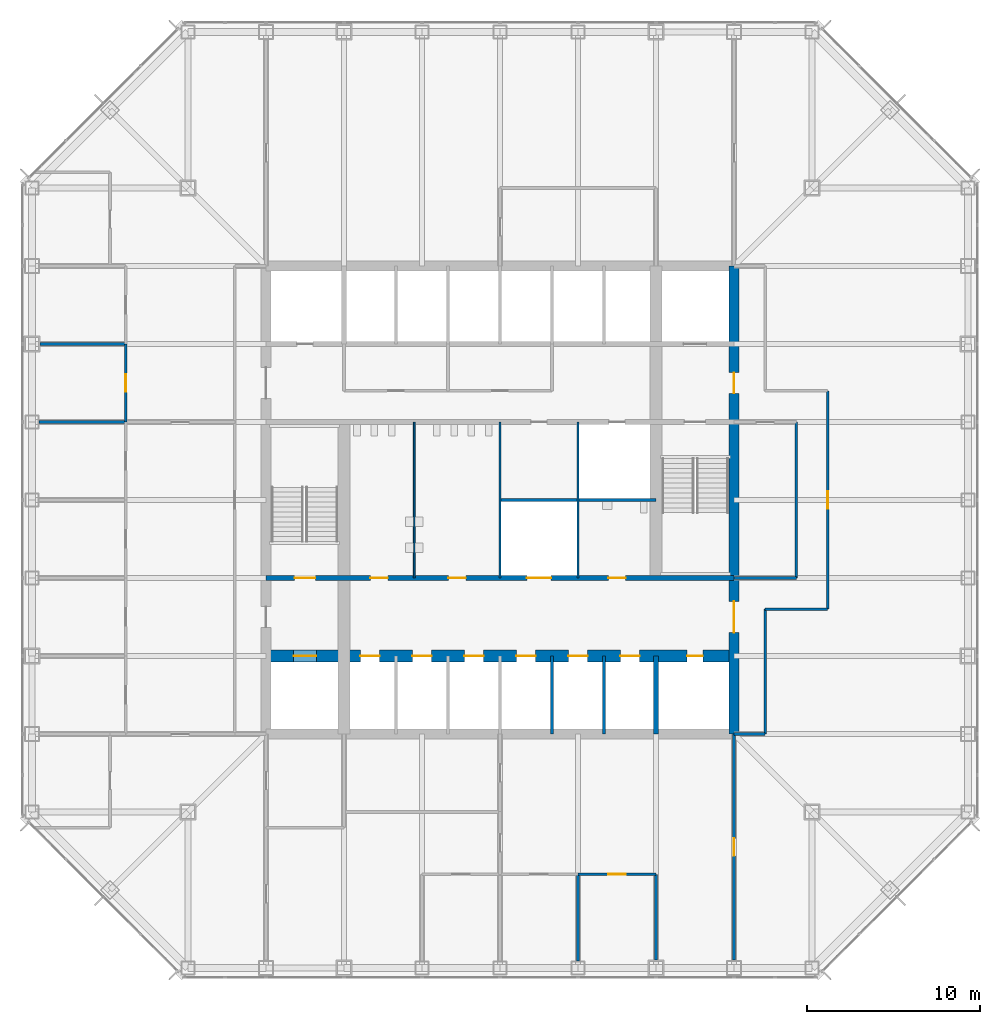
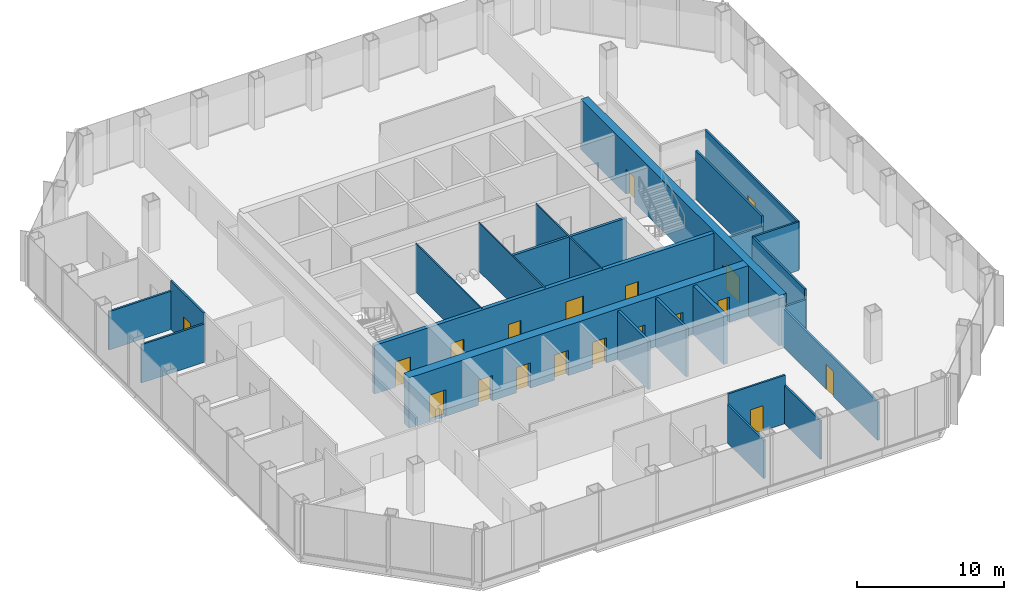
# One storey, part 9 of 13: 23 walls, 19 doors, 19 openings.
"""IFC4 building model written with IfcOpenShell, lengths in metres."""

from ifc_helpers import new_model, si_unit, direction, frame, frame_2d, origin, place, context, subcontext, project, spatial, rectangle, extrude, material, layer, layer_set, type_object, element, fill, save


model = new_model("IFC4")

# Units and contexts
model_context = context("Model", 3, precision=1e-05, world=origin(), true_north=direction((0.0, 1.0)))
body_context = subcontext(model_context, "Body", "Model", "MODEL_VIEW")
ifc_project = project(units=[si_unit("LENGTHUNIT", "METRE"), si_unit("AREAUNIT", "SQUARE_METRE"), si_unit("VOLUMEUNIT", "CUBIC_METRE"), si_unit("PLANEANGLEUNIT", "RADIAN"), si_unit("MASSUNIT", "GRAM", prefix="KILO")], contexts=[model_context])

# Site, building, storey
site_placement = place(None, origin())
site = spatial("IfcSite", under=ifc_project, at=site_placement, CompositionType="ELEMENT")
building_placement = place(site_placement, origin())
building = spatial("IfcBuilding", under=site, at=building_placement, Name="Corais Broadcast Tower", CompositionType="ELEMENT")
storey_placement = place(building_placement, frame((0.0, 0.0, 87.800048828125)))
storey = spatial("IfcBuildingStorey", under=building, at=storey_placement, Name="L19", CompositionType="ELEMENT", Elevation=87.800048828125)

# Wall
ifc_material_1 = material(Name="Concrete blockwork class A, grouted, two-hour", Category="masonry")
ifc_layer_1 = layer(ifc_material_1, 0.300048828125)
ifc_layer_set_1 = layer_set([ifc_layer_1], Name="Concrete blockwork class A, grouted, two-hour")
wall_type_1 = type_object("IfcWallType", Name="Core lobby wall 300", PredefinedType="SOLIDWALL", material=ifc_layer_set_1)
wall_1_placement = place(storey_placement, frame((36.0, 13.5, 0.0), z_axis=(0.0, 0.0, 1.0), x_axis=(0.0, 1.0, 0.0)))
element("IfcWall", 1, at=wall_1_placement, inside=storey, type_object=wall_type_1, Name="CL1 core shaft wall X36A L19", PredefinedType="SOLIDWALL", context=body_context, shape_type="SweptSolid", body=[
    extrude(rectangle(XDim=4.5, YDim=0.300048828125, at=frame_2d((2.25, 0.0))), origin(), (0.0, 0.0, 1.0), 4.0400390625),
])

# Wall, openings, doors
wall_2_placement = place(storey_placement, frame((13.5, 22.5, 0.0), z_axis=(0.0, 0.0, 1.0), x_axis=(1.0, 0.0, 0.0)))
wall_2 = element("IfcWall", 2, at=wall_2_placement, inside=storey, type_object=wall_type_1, Name="CL1 core lobby wall Y225 L19", PredefinedType="SOLIDWALL", context=body_context, shape_type="SweptSolid", body=[
    extrude(rectangle(XDim=27.0, YDim=0.300048828125, at=frame_2d((13.5, 0.0))), origin(), (0.0, 0.0, 1.0), 4.0400390625),
])
opening_1_placement = place(wall_2_placement, frame((1.64990234375, 0.0, 0.0)))
opening_1 = element("IfcOpeningElement", 3, at=opening_1_placement, cuts=wall_2, Name="Opening FD1", PredefinedType="OPENING", context=body_context, shape_type="SweptSolid", body=[
    extrude(rectangle(XDim=1.199951171875, YDim=2.10009765625, at=frame_2d((0.60009765625, 1.050048828125))), frame((0.0, 0.159912109375, 0.0), z_axis=(0.0, -1.0, 0.0), x_axis=(1.0, 0.0, 0.0)), (0.0, 0.0, 1.0), 0.320068359375),
])
opening_2_placement = place(wall_2_placement, frame((6.02490234375, 0.0, 0.0)))
opening_2 = element("IfcOpeningElement", 4, at=opening_2_placement, cuts=wall_2, Name="Opening WD1", PredefinedType="OPENING", context=body_context, shape_type="SweptSolid", body=[
    extrude(rectangle(XDim=1.0, YDim=2.10009765625, at=frame_2d((0.5, 1.050048828125))), frame((0.0, 0.159912109375, 0.0), z_axis=(0.0, -1.0, 0.0), x_axis=(1.0, 0.0, 0.0)), (0.0, 0.0, 1.0), 0.320068359375),
])
opening_3_placement = place(wall_2_placement, frame((10.52490234375, 0.0, 0.0)))
opening_3 = element("IfcOpeningElement", 5, at=opening_3_placement, cuts=wall_2, Name="Opening WD1", PredefinedType="OPENING", context=body_context, shape_type="SweptSolid", body=[
    extrude(rectangle(XDim=1.0, YDim=2.10009765625, at=frame_2d((0.5, 1.050048828125))), frame((0.0, 0.159912109375, 0.0), z_axis=(0.0, -1.0, 0.0), x_axis=(1.0, 0.0, 0.0)), (0.0, 0.0, 1.0), 0.320068359375),
])
opening_4_placement = place(wall_2_placement, frame((19.75, 0.0, 0.0)))
opening_4 = element("IfcOpeningElement", 6, at=opening_4_placement, cuts=wall_2, Name="Opening WD1", PredefinedType="OPENING", context=body_context, shape_type="SweptSolid", body=[
    extrude(rectangle(XDim=1.0, YDim=2.10009765625, at=frame_2d((0.5, 1.050048828125))), frame((0.0, 0.159912109375, 0.0), z_axis=(0.0, -1.0, 0.0), x_axis=(1.0, 0.0, 0.0)), (0.0, 0.0, 1.0), 0.320068359375),
])
opening_5_placement = place(wall_2_placement, frame((15.050048828125, 0.0, 0.0)))
opening_5 = element("IfcOpeningElement", 7, at=opening_5_placement, cuts=wall_2, Name="Opening LD3", PredefinedType="OPENING", context=body_context, shape_type="SweptSolid", body=[
    extrude(rectangle(XDim=1.39990234375, YDim=2.39990234375, at=frame_2d((0.699951171875, 1.199951171875))), frame((0.0, 0.159912109375, 0.0), z_axis=(0.0, -1.0, 0.0), x_axis=(1.0, 0.0, 0.0)), (0.0, 0.0, 1.0), 0.320068359375),
])
ifc_material_2 = material(Name="Steel fire door", Category="steel")
door_type_1 = type_object("IfcDoorType", Name="Fire door 1200x2100", OperationType="SINGLE_SWING_LEFT", PredefinedType="DOOR", material=ifc_material_2)
door_1_placement = place(opening_1_placement, origin())
door_1 = element("IfcDoor", 8, at=door_1_placement, inside=storey, type_object=door_type_1, Name="FD1 stair A door L19", OperationType="SINGLE_SWING_LEFT", OverallHeight=2.10009765625, OverallWidth=1.199951171875, PredefinedType="DOOR", context=body_context, shape_type="SweptSolid", body=[
    extrude(rectangle(XDim=1.199951171875, YDim=2.10009765625, at=frame_2d((0.60009765625, 1.050048828125))), frame((0.0, 0.02490234375, 0.0), z_axis=(0.0, -1.0, 0.0), x_axis=(1.0, 0.0, 0.0)), (0.0, 0.0, 1.0), 0.050048828125),
])
fill(opening_1, door_1)
ifc_material_3 = material(Name="Stainless steel lift door", Category="steel")
door_type_2 = type_object("IfcDoorType", Name="Service lift landing door 1400x2400", OperationType="SLIDING_TO_LEFT", PredefinedType="DOOR", material=ifc_material_3)
door_2_placement = place(opening_5_placement, origin())
door_2 = element("IfcDoor", 9, at=door_2_placement, inside=storey, type_object=door_type_2, Name="LD3 SL1 landing door L19", OperationType="SLIDING_TO_LEFT", OverallHeight=2.39990234375, OverallWidth=1.39990234375, PredefinedType="DOOR", context=body_context, shape_type="SweptSolid", body=[
    extrude(rectangle(XDim=1.39990234375, YDim=2.39990234375, at=frame_2d((0.699951171875, 1.199951171875))), frame((0.0, 0.02490234375, 0.0), z_axis=(0.0, -1.0, 0.0), x_axis=(1.0, 0.0, 0.0)), (0.0, 0.0, 1.0), 0.050048828125),
])
fill(opening_5, door_2)
ifc_material_4 = material(Name="Timber door", Category="wood")
door_type_3 = type_object("IfcDoorType", Name="Toilet door 1000x2100", OperationType="SINGLE_SWING_LEFT", PredefinedType="DOOR", material=ifc_material_4)
door_3_placement = place(opening_2_placement, origin())
door_3 = element("IfcDoor", 10, at=door_3_placement, inside=storey, type_object=door_type_3, Name="WD1 WC male door L19", OperationType="SINGLE_SWING_LEFT", OverallHeight=2.10009765625, OverallWidth=1.0, PredefinedType="DOOR", context=body_context, shape_type="SweptSolid", body=[
    extrude(rectangle(XDim=1.0, YDim=2.10009765625, at=frame_2d((0.5, 1.050048828125))), frame((0.0, 0.02490234375, 0.0), z_axis=(0.0, -1.0, 0.0), x_axis=(1.0, 0.0, 0.0)), (0.0, 0.0, 1.0), 0.050048828125),
])
fill(opening_2, door_3)
door_4_placement = place(opening_3_placement, origin())
door_4 = element("IfcDoor", 11, at=door_4_placement, inside=storey, type_object=door_type_3, Name="WD1 WC female door L19", OperationType="SINGLE_SWING_LEFT", OverallHeight=2.10009765625, OverallWidth=1.0, PredefinedType="DOOR", context=body_context, shape_type="SweptSolid", body=[
    extrude(rectangle(XDim=1.0, YDim=2.10009765625, at=frame_2d((0.5, 1.050048828125))), frame((0.0, 0.02490234375, 0.0), z_axis=(0.0, -1.0, 0.0), x_axis=(1.0, 0.0, 0.0)), (0.0, 0.0, 1.0), 0.050048828125),
])
fill(opening_3, door_4)
door_5_placement = place(opening_4_placement, origin())
door_5 = element("IfcDoor", 12, at=door_5_placement, inside=storey, type_object=door_type_3, Name="WD1 accessible WC door L19", OperationType="SINGLE_SWING_RIGHT", OverallHeight=2.10009765625, OverallWidth=1.0, PredefinedType="DOOR", context=body_context, shape_type="SweptSolid", body=[
    extrude(rectangle(XDim=1.0, YDim=2.10009765625, at=frame_2d((0.5, 1.050048828125))), frame((0.0, 0.02490234375, 0.0), z_axis=(0.0, -1.0, 0.0), x_axis=(1.0, 0.0, 0.0)), (0.0, 0.0, 1.0), 0.050048828125),
])
fill(opening_4, door_5)

ifc_material_5 = material(Name="Concrete C50/60", Category="concrete")
ifc_layer_2 = layer(ifc_material_5, 0.699951171875)
ifc_layer_set_2 = layer_set([ifc_layer_2], Name="Concrete C50/60")
wall_type_2 = type_object("IfcWallType", Name="Core spine wall 700", PredefinedType="SHEAR", material=ifc_layer_set_2)
wall_3_placement = place(storey_placement, frame((13.5, 18.0, 0.0), z_axis=(0.0, 0.0, 1.0), x_axis=(1.0, 0.0, 0.0)))
wall_3 = element("IfcWall", 13, at=wall_3_placement, inside=storey, type_object=wall_type_2, Name="CR700 core wall Y18 L19", PredefinedType="SHEAR", context=body_context, shape_type="SweptSolid", body=[
    extrude(rectangle(XDim=27.0, YDim=0.699951171875, at=frame_2d((13.5, 0.0))), origin(), (0.0, 0.0, 1.0), 4.199951171875),
])
opening_6_placement = place(wall_3_placement, frame((24.300048828125, 0.0, 0.0)))
opening_6 = element("IfcOpeningElement", 14, at=opening_6_placement, cuts=wall_3, Name="Opening RD1", PredefinedType="OPENING", context=body_context, shape_type="SweptSolid", body=[
    extrude(rectangle(XDim=0.89990234375, YDim=2.10009765625, at=frame_2d((0.449951171875, 1.050048828125))), frame((0.0, 0.35986328125, 0.0), z_axis=(0.0, -1.0, 0.0), x_axis=(1.0, 0.0, 0.0)), (0.0, 0.0, 1.0), 0.719970703125),
])
opening_7_placement = place(wall_3_placement, frame((5.449951171875, 0.0, 0.0)))
opening_7 = element("IfcOpeningElement", 15, at=opening_7_placement, cuts=wall_3, Name="Opening LD1", PredefinedType="OPENING", context=body_context, shape_type="SweptSolid", body=[
    extrude(rectangle(XDim=1.10009765625, YDim=2.10009765625, at=frame_2d((0.550048828125, 1.050048828125))), frame((0.0, 0.35986328125, 0.0), z_axis=(0.0, -1.0, 0.0), x_axis=(1.0, 0.0, 0.0)), (0.0, 0.0, 1.0), 0.719970703125),
])
opening_8_placement = place(wall_3_placement, frame((8.449951171875, 0.0, 0.0)))
opening_8 = element("IfcOpeningElement", 16, at=opening_8_placement, cuts=wall_3, Name="Opening LD1", PredefinedType="OPENING", context=body_context, shape_type="SweptSolid", body=[
    extrude(rectangle(XDim=1.10009765625, YDim=2.10009765625, at=frame_2d((0.550048828125, 1.050048828125))), frame((0.0, 0.35986328125, 0.0), z_axis=(0.0, -1.0, 0.0), x_axis=(1.0, 0.0, 0.0)), (0.0, 0.0, 1.0), 0.719970703125),
])
opening_9_placement = place(wall_3_placement, frame((11.449951171875, 0.0, 0.0)))
opening_9 = element("IfcOpeningElement", 17, at=opening_9_placement, cuts=wall_3, Name="Opening LD1", PredefinedType="OPENING", context=body_context, shape_type="SweptSolid", body=[
    extrude(rectangle(XDim=1.10009765625, YDim=2.10009765625, at=frame_2d((0.550048828125, 1.050048828125))), frame((0.0, 0.35986328125, 0.0), z_axis=(0.0, -1.0, 0.0), x_axis=(1.0, 0.0, 0.0)), (0.0, 0.0, 1.0), 0.719970703125),
])
opening_10_placement = place(wall_3_placement, frame((14.449951171875, 0.0, 0.0)))
opening_10 = element("IfcOpeningElement", 18, at=opening_10_placement, cuts=wall_3, Name="Opening LD1", PredefinedType="OPENING", context=body_context, shape_type="SweptSolid", body=[
    extrude(rectangle(XDim=1.10009765625, YDim=2.10009765625, at=frame_2d((0.550048828125, 1.050048828125))), frame((0.0, 0.35986328125, 0.0), z_axis=(0.0, -1.0, 0.0), x_axis=(1.0, 0.0, 0.0)), (0.0, 0.0, 1.0), 0.719970703125),
])
opening_11_placement = place(wall_3_placement, frame((17.449951171875, 0.0, 0.0)))
opening_11 = element("IfcOpeningElement", 19, at=opening_11_placement, cuts=wall_3, Name="Opening LD1", PredefinedType="OPENING", context=body_context, shape_type="SweptSolid", body=[
    extrude(rectangle(XDim=1.10009765625, YDim=2.10009765625, at=frame_2d((0.550048828125, 1.050048828125))), frame((0.0, 0.35986328125, 0.0), z_axis=(0.0, -1.0, 0.0), x_axis=(1.0, 0.0, 0.0)), (0.0, 0.0, 1.0), 0.719970703125),
])
opening_12_placement = place(wall_3_placement, frame((20.449951171875, 0.0, 0.0)))
opening_12 = element("IfcOpeningElement", 20, at=opening_12_placement, cuts=wall_3, Name="Opening LD1", PredefinedType="OPENING", context=body_context, shape_type="SweptSolid", body=[
    extrude(rectangle(XDim=1.10009765625, YDim=2.10009765625, at=frame_2d((0.550048828125, 1.050048828125))), frame((0.0, 0.35986328125, 0.0), z_axis=(0.0, -1.0, 0.0), x_axis=(1.0, 0.0, 0.0)), (0.0, 0.0, 1.0), 0.719970703125),
])
opening_13_placement = place(wall_3_placement, frame((1.60009765625, 0.0, 0.0)))
opening_13 = element("IfcOpeningElement", 21, at=opening_13_placement, cuts=wall_3, Name="Opening LD2", PredefinedType="OPENING", context=body_context, shape_type="SweptSolid", body=[
    extrude(rectangle(XDim=1.300048828125, YDim=2.199951171875, at=frame_2d((0.64990234375, 1.10009765625))), frame((0.0, 0.35986328125, 0.0), z_axis=(0.0, -1.0, 0.0), x_axis=(1.0, 0.0, 0.0)), (0.0, 0.0, 1.0), 0.719970703125),
])
ifc_material_6 = material(Name="Stainless steel lift door", Category="steel")
door_type_4 = type_object("IfcDoorType", Name="Lift landing door 1100x2100", OperationType="SLIDING_TO_LEFT", PredefinedType="DOOR", material=ifc_material_6)
door_6_placement = place(opening_7_placement, origin())
door_6 = element("IfcDoor", 22, at=door_6_placement, inside=storey, type_object=door_type_4, Name="LD1 PL1 landing door L19", OperationType="SLIDING_TO_LEFT", OverallHeight=2.10009765625, OverallWidth=1.10009765625, PredefinedType="DOOR", context=body_context, shape_type="SweptSolid", body=[
    extrude(rectangle(XDim=1.10009765625, YDim=2.10009765625, at=frame_2d((0.550048828125, 1.050048828125))), frame((0.0, 0.02490234375, 0.0), z_axis=(0.0, -1.0, 0.0), x_axis=(1.0, 0.0, 0.0)), (0.0, 0.0, 1.0), 0.050048828125),
])
fill(opening_7, door_6)
door_7_placement = place(opening_8_placement, origin())
door_7 = element("IfcDoor", 23, at=door_7_placement, inside=storey, type_object=door_type_4, Name="LD1 PL2 landing door L19", OperationType="SLIDING_TO_LEFT", OverallHeight=2.10009765625, OverallWidth=1.10009765625, PredefinedType="DOOR", context=body_context, shape_type="SweptSolid", body=[
    extrude(rectangle(XDim=1.10009765625, YDim=2.10009765625, at=frame_2d((0.550048828125, 1.050048828125))), frame((0.0, 0.02490234375, 0.0), z_axis=(0.0, -1.0, 0.0), x_axis=(1.0, 0.0, 0.0)), (0.0, 0.0, 1.0), 0.050048828125),
])
fill(opening_8, door_7)
door_8_placement = place(opening_9_placement, origin())
door_8 = element("IfcDoor", 24, at=door_8_placement, inside=storey, type_object=door_type_4, Name="LD1 PL3 landing door L19", OperationType="SLIDING_TO_LEFT", OverallHeight=2.10009765625, OverallWidth=1.10009765625, PredefinedType="DOOR", context=body_context, shape_type="SweptSolid", body=[
    extrude(rectangle(XDim=1.10009765625, YDim=2.10009765625, at=frame_2d((0.550048828125, 1.050048828125))), frame((0.0, 0.02490234375, 0.0), z_axis=(0.0, -1.0, 0.0), x_axis=(1.0, 0.0, 0.0)), (0.0, 0.0, 1.0), 0.050048828125),
])
fill(opening_9, door_8)
door_9_placement = place(opening_10_placement, origin())
door_9 = element("IfcDoor", 25, at=door_9_placement, inside=storey, type_object=door_type_4, Name="LD1 PL4 landing door L19", OperationType="SLIDING_TO_LEFT", OverallHeight=2.10009765625, OverallWidth=1.10009765625, PredefinedType="DOOR", context=body_context, shape_type="SweptSolid", body=[
    extrude(rectangle(XDim=1.10009765625, YDim=2.10009765625, at=frame_2d((0.550048828125, 1.050048828125))), frame((0.0, 0.02490234375, 0.0), z_axis=(0.0, -1.0, 0.0), x_axis=(1.0, 0.0, 0.0)), (0.0, 0.0, 1.0), 0.050048828125),
])
fill(opening_10, door_9)
door_10_placement = place(opening_11_placement, origin())
door_10 = element("IfcDoor", 26, at=door_10_placement, inside=storey, type_object=door_type_4, Name="LD1 PL5 landing door L19", OperationType="SLIDING_TO_LEFT", OverallHeight=2.10009765625, OverallWidth=1.10009765625, PredefinedType="DOOR", context=body_context, shape_type="SweptSolid", body=[
    extrude(rectangle(XDim=1.10009765625, YDim=2.10009765625, at=frame_2d((0.550048828125, 1.050048828125))), frame((0.0, 0.02490234375, 0.0), z_axis=(0.0, -1.0, 0.0), x_axis=(1.0, 0.0, 0.0)), (0.0, 0.0, 1.0), 0.050048828125),
])
fill(opening_11, door_10)
door_11_placement = place(opening_12_placement, origin())
door_11 = element("IfcDoor", 27, at=door_11_placement, inside=storey, type_object=door_type_4, Name="LD1 PL6 landing door L19", OperationType="SLIDING_TO_LEFT", OverallHeight=2.10009765625, OverallWidth=1.10009765625, PredefinedType="DOOR", context=body_context, shape_type="SweptSolid", body=[
    extrude(rectangle(XDim=1.10009765625, YDim=2.10009765625, at=frame_2d((0.550048828125, 1.050048828125))), frame((0.0, 0.02490234375, 0.0), z_axis=(0.0, -1.0, 0.0), x_axis=(1.0, 0.0, 0.0)), (0.0, 0.0, 1.0), 0.050048828125),
])
fill(opening_12, door_11)
ifc_material_7 = material(Name="Stainless steel lift door", Category="steel")
door_type_5 = type_object("IfcDoorType", Name="Lift landing door 1300x2200", OperationType="SLIDING_TO_LEFT", PredefinedType="DOOR", material=ifc_material_7)
door_12_placement = place(opening_13_placement, origin())
door_12 = element("IfcDoor", 28, at=door_12_placement, inside=storey, type_object=door_type_5, Name="LD2 FL1 landing door L19", OperationType="SLIDING_TO_LEFT", OverallHeight=2.199951171875, OverallWidth=1.300048828125, PredefinedType="DOOR", context=body_context, shape_type="SweptSolid", body=[
    extrude(rectangle(XDim=1.300048828125, YDim=2.199951171875, at=frame_2d((0.64990234375, 1.10009765625))), frame((0.0, 0.02490234375, 0.0), z_axis=(0.0, -1.0, 0.0), x_axis=(1.0, 0.0, 0.0)), (0.0, 0.0, 1.0), 0.050048828125),
])
fill(opening_13, door_12)
ifc_material_8 = material(Name="Steel fire door", Category="steel")
door_type_6 = type_object("IfcDoorType", Name="Riser door 900x2100", OperationType="SINGLE_SWING_LEFT", PredefinedType="DOOR", material=ifc_material_8)
door_13_placement = place(opening_6_placement, origin())
door_13 = element("IfcDoor", 29, at=door_13_placement, inside=storey, type_object=door_type_6, Name="RD1 riser door L19", OperationType="SINGLE_SWING_RIGHT", OverallHeight=2.10009765625, OverallWidth=0.89990234375, PredefinedType="DOOR", context=body_context, shape_type="SweptSolid", body=[
    extrude(rectangle(XDim=0.89990234375, YDim=2.10009765625, at=frame_2d((0.449951171875, 1.050048828125))), frame((0.0, 0.02490234375, 0.0), z_axis=(0.0, -1.0, 0.0), x_axis=(1.0, 0.0, 0.0)), (0.0, 0.0, 1.0), 0.050048828125),
])
fill(opening_6, door_13)

ifc_material_9 = material(Name="Concrete C50/60", Category="concrete")
ifc_layer_3 = layer(ifc_material_9, 0.60009765625)
ifc_layer_set_3 = layer_set([ifc_layer_3], Name="Concrete C50/60")
wall_type_3 = type_object("IfcWallType", Name="Core wall 600", PredefinedType="SHEAR", material=ifc_layer_set_3)
wall_4_placement = place(storey_placement, frame((40.5, 13.5, 0.0), z_axis=(0.0, 0.0, 1.0), x_axis=(0.0, 1.0, 0.0)))
wall_4 = element("IfcWall", 30, at=wall_4_placement, inside=storey, type_object=wall_type_3, Name="CR600 core wall E L19", PredefinedType="SHEAR", context=body_context, shape_type="SweptSolid", body=[
    extrude(rectangle(XDim=27.0, YDim=0.60009765625, at=frame_2d((13.5, 0.0))), origin(), (0.0, 0.0, 1.0), 4.199951171875),
])
opening_14_placement = place(wall_4_placement, frame((5.85009765625, 0.0, 0.0)))
opening_14 = element("IfcOpeningElement", 31, at=opening_14_placement, cuts=wall_4, Name="Opening FD2", PredefinedType="OPENING", context=body_context, shape_type="SweptSolid", body=[
    extrude(rectangle(XDim=1.800048828125, YDim=2.10009765625, at=frame_2d((0.89990234375, 1.050048828125))), frame((0.0, 0.31005859375, 0.0), z_axis=(0.0, -1.0, 0.0), x_axis=(1.0, 0.0, 0.0)), (0.0, 0.0, 1.0), 0.6201171875),
])
opening_15_placement = place(wall_4_placement, frame((19.64990234375, 0.0, 0.0)))
opening_15 = element("IfcOpeningElement", 32, at=opening_15_placement, cuts=wall_4, Name="Opening FD1", PredefinedType="OPENING", context=body_context, shape_type="SweptSolid", body=[
    extrude(rectangle(XDim=1.199951171875, YDim=2.10009765625, at=frame_2d((0.60009765625, 1.050048828125))), frame((0.0, 0.31005859375, 0.0), z_axis=(0.0, -1.0, 0.0), x_axis=(1.0, 0.0, 0.0)), (0.0, 0.0, 1.0), 0.6201171875),
])
door_14_placement = place(opening_15_placement, origin())
door_14 = element("IfcDoor", 33, at=door_14_placement, inside=storey, type_object=door_type_1, Name="FD1 fire lobby B door L19", OperationType="SINGLE_SWING_RIGHT", OverallHeight=2.10009765625, OverallWidth=1.199951171875, PredefinedType="DOOR", context=body_context, shape_type="SweptSolid", body=[
    extrude(rectangle(XDim=1.199951171875, YDim=2.10009765625, at=frame_2d((0.60009765625, 1.050048828125))), frame((0.0, 0.02490234375, 0.0), z_axis=(0.0, -1.0, 0.0), x_axis=(1.0, 0.0, 0.0)), (0.0, 0.0, 1.0), 0.050048828125),
])
fill(opening_15, door_14)
ifc_material_10 = material(Name="Steel fire door", Category="steel")
door_type_7 = type_object("IfcDoorType", Name="Fire door pair 1800x2100", OperationType="DOUBLE_DOOR_SINGLE_SWING", PredefinedType="DOOR", material=ifc_material_10)
door_15_placement = place(opening_14_placement, origin())
door_15 = element("IfcDoor", 34, at=door_15_placement, inside=storey, type_object=door_type_7, Name="FD2 lift lobby door L19", OperationType="SINGLE_SWING_LEFT", OverallHeight=2.10009765625, OverallWidth=1.800048828125, PredefinedType="DOOR", context=body_context, shape_type="SweptSolid", body=[
    extrude(rectangle(XDim=1.800048828125, YDim=2.10009765625, at=frame_2d((0.89990234375, 1.050048828125))), frame((0.0, 0.02490234375, 0.0), z_axis=(0.0, -1.0, 0.0), x_axis=(1.0, 0.0, 0.0)), (0.0, 0.0, 1.0), 0.050048828125),
])
fill(opening_14, door_15)

# Wall, opening, door
ifc_material_11 = material(Name="Gypsum board on steel studs", Category="steel")
ifc_layer_4 = layer(ifc_material_11, 0.14990234375)
ifc_layer_set_4 = layer_set([ifc_layer_4], Name="Gypsum board on steel studs")
wall_type_4 = type_object("IfcWallType", Name="Partition 150", PredefinedType="PARTITIONING", material=ifc_layer_set_4)
wall_5_placement = place(storey_placement, frame((45.89990234375, 20.699951171875, 0.0), z_axis=(0.0, 0.0, 1.0), x_axis=(0.0, 1.0, 0.0)))
wall_5 = element("IfcWall", 35, at=wall_5_placement, inside=storey, type_object=wall_type_4, Name="IW3 corridor wall L19", PredefinedType="PARTITIONING", context=body_context, shape_type="SweptSolid", body=[
    extrude(rectangle(XDim=12.60009765625, YDim=0.14990234375, at=frame_2d((6.300048828125, 0.0))), origin(), (0.0, 0.0, 1.0), 4.0400390625),
])
opening_16_placement = place(wall_5_placement, frame((5.800048828125, 0.0, 0.0)))
opening_16 = element("IfcOpeningElement", 36, at=opening_16_placement, cuts=wall_5, Name="Opening D1", PredefinedType="OPENING", context=body_context, shape_type="SweptSolid", body=[
    extrude(rectangle(XDim=1.0, YDim=2.10009765625, at=frame_2d((0.5, 1.050048828125))), frame((0.0, 0.0849609375, 0.0), z_axis=(0.0, -1.0, 0.0), x_axis=(1.0, 0.0, 0.0)), (0.0, 0.0, 1.0), 0.169921875),
])
ifc_material_12 = material(Name="Timber door", Category="wood")
door_type_8 = type_object("IfcDoorType", Name="Single door 1000x2100", OperationType="SINGLE_SWING_LEFT", PredefinedType="DOOR", material=ifc_material_12)
door_16_placement = place(opening_16_placement, origin())
door_16 = element("IfcDoor", 37, at=door_16_placement, inside=storey, type_object=door_type_8, Name="D1 workplace door L19", OperationType="SINGLE_SWING_LEFT", OverallHeight=2.10009765625, OverallWidth=1.0, PredefinedType="DOOR", context=body_context, shape_type="SweptSolid", body=[
    extrude(rectangle(XDim=1.0, YDim=2.10009765625, at=frame_2d((0.5, 1.050048828125))), frame((0.0, 0.02490234375, 0.0), z_axis=(0.0, -1.0, 0.0), x_axis=(1.0, 0.0, 0.0)), (0.0, 0.0, 1.0), 0.050048828125),
])
fill(opening_16, door_16)

# Walls
wall_6_placement = place(storey_placement, frame((42.300048828125, 13.5, 0.0), z_axis=(0.0, 0.0, 1.0), x_axis=(0.0, 1.0, 0.0)))
element("IfcWall", 38, at=wall_6_placement, inside=storey, type_object=wall_type_4, Name="IW3 corridor wall L19", PredefinedType="PARTITIONING", context=body_context, shape_type="SweptSolid", body=[
    extrude(rectangle(XDim=7.199951171875, YDim=0.14990234375, at=frame_2d((3.60009765625, 0.0))), origin(), (0.0, 0.0, 1.0), 4.0400390625),
])
wall_7_placement = place(storey_placement, frame((42.300048828125, 20.699951171875, 0.0), z_axis=(0.0, 0.0, 1.0), x_axis=(1.0, 0.0, 0.0)))
element("IfcWall", 39, at=wall_7_placement, inside=storey, type_object=wall_type_4, Name="IW3 corridor wall L19", PredefinedType="PARTITIONING", context=body_context, shape_type="SweptSolid", body=[
    extrude(rectangle(XDim=3.599853515625, YDim=0.14990234375, at=frame_2d((1.7998046875, 0.0))), origin(), (0.0, 0.0, 1.0), 4.0400390625),
])
wall_8_placement = place(storey_placement, frame((40.489990234375, 13.5, 0.0), z_axis=(0.0, 0.0, 1.0), x_axis=(1.0, 0.0, 0.0)))
element("IfcWall", 40, at=wall_8_placement, inside=storey, type_object=wall_type_4, Name="IW3 corridor wall L19", PredefinedType="PARTITIONING", context=body_context, shape_type="SweptSolid", body=[
    extrude(rectangle(XDim=1.81005859375, YDim=0.14990234375, at=frame_2d((0.905029296875, 0.0))), origin(), (0.0, 0.0, 1.0), 3.18896484375),
])
wall_9_placement = place(storey_placement, frame((5.39990234375, 31.5, 0.0), z_axis=(0.0, 0.0, 1.0), x_axis=(-1.0, 0.0, 0.0)))
element("IfcWall", 41, at=wall_9_placement, inside=storey, type_object=wall_type_4, Name="IW3 partition L19", PredefinedType="PARTITIONING", context=body_context, shape_type="SweptSolid", body=[
    extrude(rectangle(XDim=4.989990234375, YDim=0.14990234375, at=frame_2d((2.4951171875, 0.0))), origin(), (0.0, 0.0, 1.0), 3.18896484375),
])

# Wall, opening, door
wall_10_placement = place(storey_placement, frame((5.39990234375, 31.5, 0.0), z_axis=(0.0, 0.0, 1.0), x_axis=(0.0, 1.0, 0.0)))
wall_10 = element("IfcWall", 42, at=wall_10_placement, inside=storey, type_object=wall_type_4, Name="IW3 partition L19", PredefinedType="PARTITIONING", context=body_context, shape_type="SweptSolid", body=[
    extrude(rectangle(XDim=4.5, YDim=0.14990234375, at=frame_2d((2.25, 0.0))), origin(), (0.0, 0.0, 1.0), 4.0400390625),
])
opening_17_placement = place(wall_10_placement, frame((1.75, 0.0, 0.0)))
opening_17 = element("IfcOpeningElement", 43, at=opening_17_placement, cuts=wall_10, Name="Opening D1", PredefinedType="OPENING", context=body_context, shape_type="SweptSolid", body=[
    extrude(rectangle(XDim=1.0, YDim=2.10009765625, at=frame_2d((0.5, 1.050048828125))), frame((0.0, 0.0849609375, 0.0), z_axis=(0.0, -1.0, 0.0), x_axis=(1.0, 0.0, 0.0)), (0.0, 0.0, 1.0), 0.169921875),
])
door_17_placement = place(opening_17_placement, origin())
door_17 = element("IfcDoor", 44, at=door_17_placement, inside=storey, type_object=door_type_8, Name="D1 Office door", OperationType="SINGLE_SWING_LEFT", OverallHeight=2.10009765625, OverallWidth=1.0, PredefinedType="DOOR", context=body_context, shape_type="SweptSolid", body=[
    extrude(rectangle(XDim=1.0, YDim=2.10009765625, at=frame_2d((0.5, 1.050048828125))), frame((0.0, 0.02490234375, 0.0), z_axis=(0.0, -1.0, 0.0), x_axis=(1.0, 0.0, 0.0)), (0.0, 0.0, 1.0), 0.050048828125),
])
fill(opening_17, door_17)

# Walls
wall_11_placement = place(storey_placement, frame((5.39990234375, 36.0, 0.0), z_axis=(0.0, 0.0, 1.0), x_axis=(-1.0, 0.0, 0.0)))
element("IfcWall", 45, at=wall_11_placement, inside=storey, type_object=wall_type_4, Name="IW3 partition L19", PredefinedType="PARTITIONING", context=body_context, shape_type="SweptSolid", body=[
    extrude(rectangle(XDim=4.93994140625, YDim=0.14990234375, at=frame_2d((2.469970703125, 0.0))), origin(), (0.0, 0.0, 1.0), 3.18896484375),
])
wall_12_placement = place(storey_placement, frame((31.5, 0.409912109375, 0.0), z_axis=(0.0, 0.0, 1.0), x_axis=(0.0, 1.0, 0.0)))
element("IfcWall", 46, at=wall_12_placement, inside=storey, type_object=wall_type_4, Name="IW3 partition L19", PredefinedType="PARTITIONING", context=body_context, shape_type="SweptSolid", body=[
    extrude(rectangle(XDim=4.989990234375, YDim=0.14990234375, at=frame_2d((2.4951171875, 0.0))), origin(), (0.0, 0.0, 1.0), 3.18896484375),
])
wall_13_placement = place(storey_placement, frame((36.0, 0.4599609375, 0.0), z_axis=(0.0, 0.0, 1.0), x_axis=(0.0, 1.0, 0.0)))
element("IfcWall", 47, at=wall_13_placement, inside=storey, type_object=wall_type_4, Name="IW3 partition L19", PredefinedType="PARTITIONING", context=body_context, shape_type="SweptSolid", body=[
    extrude(rectangle(XDim=4.93994140625, YDim=0.14990234375, at=frame_2d((2.469970703125, 0.0))), origin(), (0.0, 0.0, 1.0), 3.18896484375),
])

# Wall, opening, door
wall_14_placement = place(storey_placement, frame((36.0, 5.39990234375, 0.0), z_axis=(0.0, 0.0, 1.0), x_axis=(-1.0, 0.0, 0.0)))
wall_14 = element("IfcWall", 48, at=wall_14_placement, inside=storey, type_object=wall_type_4, Name="IW3 partition L19", PredefinedType="PARTITIONING", context=body_context, shape_type="SweptSolid", body=[
    extrude(rectangle(XDim=4.5, YDim=0.14990234375, at=frame_2d((2.25, 0.0))), origin(), (0.0, 0.0, 1.0), 4.0400390625),
])
opening_18_placement = place(wall_14_placement, frame((1.75, 0.0, 0.0)))
opening_18 = element("IfcOpeningElement", 49, at=opening_18_placement, cuts=wall_14, Name="Opening D1", PredefinedType="OPENING", context=body_context, shape_type="SweptSolid", body=[
    extrude(rectangle(XDim=1.0, YDim=2.10009765625, at=frame_2d((0.5, 1.050048828125))), frame((0.0, 0.0849609375, 0.0), z_axis=(0.0, -1.0, 0.0), x_axis=(1.0, 0.0, 0.0)), (0.0, 0.0, 1.0), 0.169921875),
])
door_18_placement = place(opening_18_placement, origin())
door_18 = element("IfcDoor", 50, at=door_18_placement, inside=storey, type_object=door_type_8, Name="D1 Interview room door", OperationType="SINGLE_SWING_LEFT", OverallHeight=2.10009765625, OverallWidth=1.0, PredefinedType="DOOR", context=body_context, shape_type="SweptSolid", body=[
    extrude(rectangle(XDim=1.0, YDim=2.10009765625, at=frame_2d((0.5, 1.050048828125))), frame((0.0, 0.02490234375, 0.0), z_axis=(0.0, -1.0, 0.0), x_axis=(1.0, 0.0, 0.0)), (0.0, 0.0, 1.0), 0.050048828125),
])
fill(opening_18, door_18)

# Walls
wall_15_placement = place(storey_placement, frame((40.5, 22.5, 0.0), z_axis=(0.0, 0.0, 1.0), x_axis=(1.0, 0.0, 0.0)))
element("IfcWall", 51, at=wall_15_placement, inside=storey, type_object=wall_type_4, Name="IW3 partition L19", PredefinedType="PARTITIONING", context=body_context, shape_type="SweptSolid", body=[
    extrude(rectangle(XDim=3.60009765625, YDim=0.14990234375, at=frame_2d((1.800048828125, 0.0))), origin(), (0.0, 0.0, 1.0), 3.18896484375),
])
wall_16_placement = place(storey_placement, frame((44.10009765625, 22.5, 0.0), z_axis=(0.0, 0.0, 1.0), x_axis=(0.0, 1.0, 0.0)))
element("IfcWall", 52, at=wall_16_placement, inside=storey, type_object=wall_type_4, Name="IW3 partition L19", PredefinedType="PARTITIONING", context=body_context, shape_type="SweptSolid", body=[
    extrude(rectangle(XDim=9.0, YDim=0.14990234375, at=frame_2d((4.5, 0.0))), origin(), (0.0, 0.0, 1.0), 4.0400390625),
])

# Wall, opening, door
wall_17_placement = place(storey_placement, frame((40.5, 0.445068359375, 0.0), z_axis=(0.0, 0.0, 1.0), x_axis=(0.0, 1.0, 0.0)))
wall_17 = element("IfcWall", 53, at=wall_17_placement, inside=storey, type_object=wall_type_4, Name="IW3 partition L19", PredefinedType="PARTITIONING", context=body_context, shape_type="SweptSolid", body=[
    extrude(rectangle(XDim=13.054931640625, YDim=0.14990234375, at=frame_2d((6.52734375, 0.0))), origin(), (0.0, 0.0, 1.0), 3.18896484375),
])
opening_19_placement = place(wall_17_placement, frame((6.027587890625, 0.0, 0.0)))
opening_19 = element("IfcOpeningElement", 54, at=opening_19_placement, cuts=wall_17, Name="Opening D1", PredefinedType="OPENING", context=body_context, shape_type="SweptSolid", body=[
    extrude(rectangle(XDim=1.0, YDim=2.10009765625, at=frame_2d((0.5, 1.050048828125))), frame((0.0, 0.0849609375, 0.0), z_axis=(0.0, -1.0, 0.0), x_axis=(1.0, 0.0, 0.0)), (0.0, 0.0, 1.0), 0.169921875),
])
door_19_placement = place(opening_19_placement, origin())
door_19 = element("IfcDoor", 55, at=door_19_placement, inside=storey, type_object=door_type_8, Name="D1 team room door L19", OperationType="SINGLE_SWING_LEFT", OverallHeight=2.10009765625, OverallWidth=1.0, PredefinedType="DOOR", context=body_context, shape_type="SweptSolid", body=[
    extrude(rectangle(XDim=1.0, YDim=2.10009765625, at=frame_2d((0.5, 1.050048828125))), frame((0.0, 0.02490234375, 0.0), z_axis=(0.0, -1.0, 0.0), x_axis=(1.0, 0.0, 0.0)), (0.0, 0.0, 1.0), 0.050048828125),
])
fill(opening_19, door_19)

# Walls
ifc_material_13 = material(Name="Concrete blockwork class A, grouted, two-hour", Category="masonry")
ifc_layer_5 = layer(ifc_material_13, 0.199951171875)
ifc_layer_set_5 = layer_set([ifc_layer_5], Name="Concrete blockwork class A, grouted, two-hour")
wall_type_5 = type_object("IfcWallType", Name="Shaft wall 200", PredefinedType="PARTITIONING", material=ifc_layer_set_5)
for number, where, z_axis, x_axis, name in (
    (56, (30.0, 13.5, 0.0), (0.0, 0.0, 1.0), (0.0, 1.0, 0.0), "IW1 shaft wall L19"),
    (57, (33.0, 13.5, 0.0), (0.0, 0.0, 1.0), (0.0, 1.0, 0.0), "IW1 shaft wall L19"),
):
    element("IfcWall", number, at=place(storey_placement, frame(where, z_axis=z_axis, x_axis=x_axis)), inside=storey, type_object=wall_type_5, Name=name, PredefinedType="PARTITIONING", context=body_context, shape_type="SweptSolid", body=[
        extrude(rectangle(XDim=4.5, YDim=0.199951171875, at=frame_2d((2.25, 0.0))), origin(), (0.0, 0.0, 1.0), 4.0400390625),
    ])
wall_18_placement = place(storey_placement, frame((27.0, 27.0, 0.0), z_axis=(0.0, 0.0, 1.0), x_axis=(1.0, 0.0, 0.0)))
element("IfcWall", 58, at=wall_18_placement, inside=storey, type_object=wall_type_5, Name="IW1 shaft wall L19", PredefinedType="PARTITIONING", context=body_context, shape_type="SweptSolid", body=[
    extrude(rectangle(XDim=9.0, YDim=0.199951171875, at=frame_2d((4.5, 0.0))), origin(), (0.0, 0.0, 1.0), 4.0400390625),
])
ifc_material_14 = material(Name="Dense concrete blockwork class A, tiled both faces", Category="masonry")
ifc_layer_6 = layer(ifc_material_14, 0.10009765625)
ifc_layer_set_6 = layer_set([ifc_layer_6], Name="Dense concrete blockwork class A, tiled both faces")
wall_type_6 = type_object("IfcWallType", Name="Toilet wall 100", PredefinedType="PLUMBINGWALL", material=ifc_layer_set_6)
for number, where, z_axis, x_axis, name in (
    (59, (22.050048828125, 22.5, 0.0), (0.0, 0.0, 1.0), (0.0, 1.0, 0.0), "IW2 toilet wall L19"),
    (60, (27.0, 22.5, 0.0), (0.0, 0.0, 1.0), (0.0, 1.0, 0.0), "IW2 toilet wall L19"),
    (61, (31.5, 22.5, 0.0), (0.0, 0.0, 1.0), (0.0, 1.0, 0.0), "IW2 toilet wall L19"),
):
    element("IfcWall", number, at=place(storey_placement, frame(where, z_axis=z_axis, x_axis=x_axis)), inside=storey, type_object=wall_type_6, Name=name, PredefinedType="PLUMBINGWALL", context=body_context, shape_type="SweptSolid", body=[
        extrude(rectangle(XDim=9.0, YDim=0.10009765625, at=frame_2d((4.5, 0.0))), origin(), (0.0, 0.0, 1.0), 4.0400390625),
    ])

save(model, "model.ifc")
